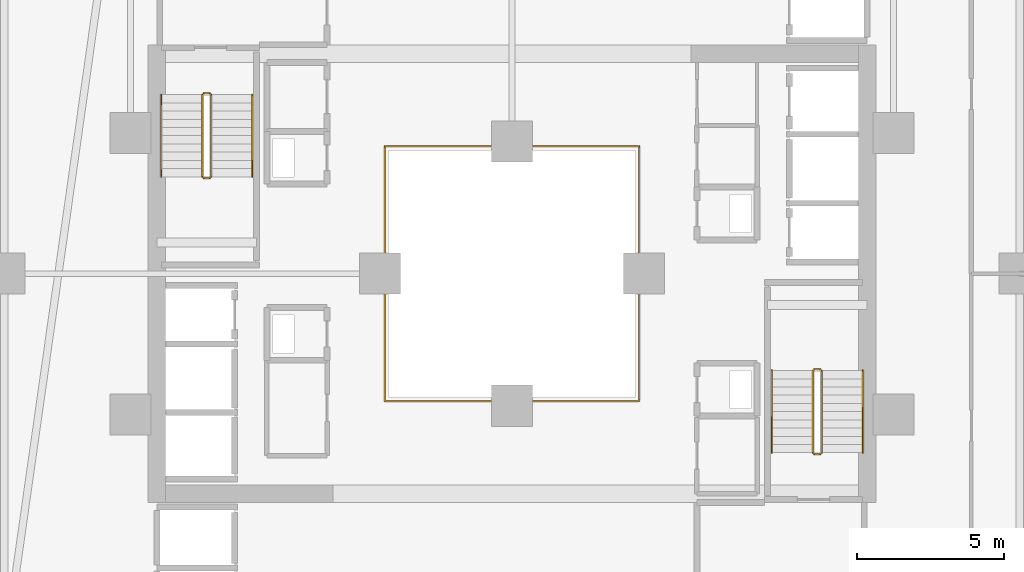
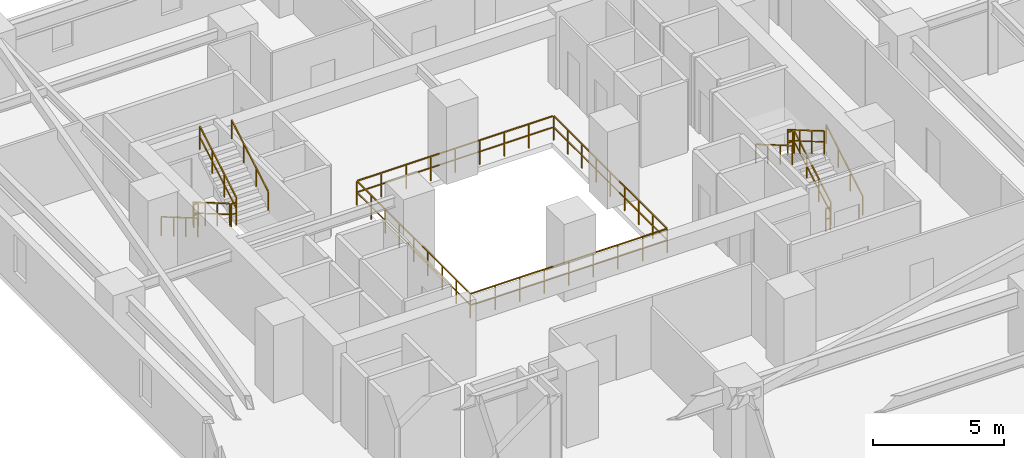
# One storey, part 32 of 33: 13 railings.
"""IFC4 building model written with IfcOpenShell, lengths in metres."""

from ifc_helpers import new_model, si_unit, direction, frame, origin, origin_2d, place, context, subcontext, project, spatial, rectangle, extrude, material, type_object, element, save


model = new_model("IFC4")

# Units and contexts
model_context = context("Model", 3, precision=1e-05, world=origin(), true_north=direction((0.0, 1.0)))
body_context = subcontext(model_context, "Body", "Model", "MODEL_VIEW")
ifc_project = project(units=[si_unit("LENGTHUNIT", "METRE"), si_unit("AREAUNIT", "SQUARE_METRE"), si_unit("VOLUMEUNIT", "CUBIC_METRE"), si_unit("PLANEANGLEUNIT", "RADIAN"), si_unit("MASSUNIT", "GRAM", prefix="KILO")], contexts=[model_context])

# Site, building, storey
site_placement = place(None, origin())
site = spatial("IfcSite", under=ifc_project, at=site_placement, CompositionType="ELEMENT")
building_placement = place(site_placement, origin())
building = spatial("IfcBuilding", under=site, at=building_placement, Name="Thornwick Lancets Civic Towers", CompositionType="ELEMENT")
storey_placement = place(building_placement, frame((0.0, 0.0, 35.10009765625)))
storey = spatial("IfcBuildingStorey", under=building, at=storey_placement, Name="L08", CompositionType="ELEMENT", Elevation=35.10009765625)

# Railings
ifc_material_1 = material(Name="Laminated glass and bronze steel S355", Category="steel")
railing_type_1 = type_object("IfcRailingType", Name="RAIL_ATRIUM_GUARD", PredefinedType="BALUSTRADE", material=ifc_material_1)
railing_1_placement = place(storey_placement, frame((84.159912109375, 22.659912109375, 0.0)))
element("IfcRailing", 1, at=railing_1_placement, inside=storey, type_object=railing_type_1, Name="L08 Tower B Central Atrium Guard Balustrade", PredefinedType="BALUSTRADE", context=body_context, shape_type="SweptSolid", body=[
    extrude(rectangle(XDim=0.048095703125, YDim=0.048095703125, at=origin_2d()), frame((0.0, 0.0, 1.1259765625), z_axis=(1.0, 0.0, 0.0), x_axis=(0.0, 1.0, 0.0)), (0.0, 0.0, 1.0), 8.64892578125),
    extrude(rectangle(XDim=0.0419921875, YDim=0.0419921875, at=origin_2d()), frame((0.03759765625, 0.0, 0.597900390625), z_axis=(1.0, 0.0, 0.0), x_axis=(0.0, 1.0, 0.0)), (0.0, 0.0, 1.0), 1.010009765625),
    extrude(rectangle(XDim=0.0419921875, YDim=0.0419921875, at=origin_2d()), frame((1.12255859375, 0.0, 0.597900390625), z_axis=(1.0, 0.0, 0.0), x_axis=(0.0, 1.0, 0.0)), (0.0, 0.0, 1.0), 1.010009765625),
    extrude(rectangle(XDim=0.0419921875, YDim=0.0419921875, at=origin_2d()), frame((2.20751953125, 0.0, 0.597900390625), z_axis=(1.0, 0.0, 0.0), x_axis=(0.0, 1.0, 0.0)), (0.0, 0.0, 1.0), 1.010009765625),
    extrude(rectangle(XDim=0.0419921875, YDim=0.0419921875, at=origin_2d()), frame((3.29248046875, 0.0, 0.597900390625), z_axis=(1.0, 0.0, 0.0), x_axis=(0.0, 1.0, 0.0)), (0.0, 0.0, 1.0), 1.010009765625),
    extrude(rectangle(XDim=0.0419921875, YDim=0.0419921875, at=origin_2d()), frame((4.377685546875, 0.0, 0.597900390625), z_axis=(1.0, 0.0, 0.0), x_axis=(0.0, 1.0, 0.0)), (0.0, 0.0, 1.0), 1.010009765625),
    extrude(rectangle(XDim=0.0419921875, YDim=0.0419921875, at=origin_2d()), frame((5.462646484375, 0.0, 0.597900390625), z_axis=(1.0, 0.0, 0.0), x_axis=(0.0, 1.0, 0.0)), (0.0, 0.0, 1.0), 1.010009765625),
    extrude(rectangle(XDim=0.0419921875, YDim=0.0419921875, at=origin_2d()), frame((6.547607421875, 0.0, 0.597900390625), z_axis=(1.0, 0.0, 0.0), x_axis=(0.0, 1.0, 0.0)), (0.0, 0.0, 1.0), 1.010009765625),
    extrude(rectangle(XDim=0.0419921875, YDim=0.0419921875, at=origin_2d()), frame((7.632568359375, 0.0, 0.597900390625), z_axis=(1.0, 0.0, 0.0), x_axis=(0.0, 1.0, 0.0)), (0.0, 0.0, 1.0), 1.010009765625),
    extrude(rectangle(XDim=0.048095703125, YDim=0.048095703125, at=origin_2d()), frame((8.68017578125, 0.03125, 1.1259765625), z_axis=(0.0, 1.0, 0.0), x_axis=(-1.0, 0.0, 0.0)), (0.0, 0.0, 1.0), 8.61767578125),
    extrude(rectangle(XDim=0.0419921875, YDim=0.0419921875, at=origin_2d()), frame((8.68017578125, 0.03759765625, 0.597900390625), z_axis=(0.0, 1.0, 0.0), x_axis=(-1.0, 0.0, 0.0)), (0.0, 0.0, 1.0), 1.010009765625),
    extrude(rectangle(XDim=0.0419921875, YDim=0.0419921875, at=origin_2d()), frame((8.68017578125, 1.12255859375, 0.597900390625), z_axis=(0.0, 1.0, 0.0), x_axis=(-1.0, 0.0, 0.0)), (0.0, 0.0, 1.0), 1.010009765625),
    extrude(rectangle(XDim=0.0419921875, YDim=0.0419921875, at=origin_2d()), frame((8.68017578125, 2.20751953125, 0.597900390625), z_axis=(0.0, 1.0, 0.0), x_axis=(-1.0, 0.0, 0.0)), (0.0, 0.0, 1.0), 1.010009765625),
    extrude(rectangle(XDim=0.0419921875, YDim=0.0419921875, at=origin_2d()), frame((8.68017578125, 3.29248046875, 0.597900390625), z_axis=(0.0, 1.0, 0.0), x_axis=(-1.0, 0.0, 0.0)), (0.0, 0.0, 1.0), 1.010009765625),
    extrude(rectangle(XDim=0.0419921875, YDim=0.0419921875, at=origin_2d()), frame((8.68017578125, 4.377685546875, 0.597900390625), z_axis=(0.0, 1.0, 0.0), x_axis=(-1.0, 0.0, 0.0)), (0.0, 0.0, 1.0), 1.010009765625),
    extrude(rectangle(XDim=0.0419921875, YDim=0.0419921875, at=origin_2d()), frame((8.68017578125, 5.462646484375, 0.597900390625), z_axis=(0.0, 1.0, 0.0), x_axis=(-1.0, 0.0, 0.0)), (0.0, 0.0, 1.0), 1.010009765625),
    extrude(rectangle(XDim=0.0419921875, YDim=0.0419921875, at=origin_2d()), frame((8.68017578125, 6.547607421875, 0.597900390625), z_axis=(0.0, 1.0, 0.0), x_axis=(-1.0, 0.0, 0.0)), (0.0, 0.0, 1.0), 1.010009765625),
    extrude(rectangle(XDim=0.0419921875, YDim=0.0419921875, at=origin_2d()), frame((8.68017578125, 7.632568359375, 0.597900390625), z_axis=(0.0, 1.0, 0.0), x_axis=(-1.0, 0.0, 0.0)), (0.0, 0.0, 1.0), 1.010009765625),
    extrude(rectangle(XDim=0.048095703125, YDim=0.048095703125, at=origin_2d()), frame((8.64892578125, 8.68017578125, 1.1259765625), z_axis=(-1.0, 0.0, 0.0), x_axis=(0.0, -1.0, 0.0)), (0.0, 0.0, 1.0), 8.61767578125),
    extrude(rectangle(XDim=0.0419921875, YDim=0.0419921875, at=origin_2d()), frame((8.642578125, 8.68017578125, 0.597900390625), z_axis=(-1.0, 0.0, 0.0), x_axis=(0.0, -1.0, 0.0)), (0.0, 0.0, 1.0), 1.010009765625),
    extrude(rectangle(XDim=0.0419921875, YDim=0.0419921875, at=origin_2d()), frame((7.5576171875, 8.68017578125, 0.597900390625), z_axis=(-1.0, 0.0, 0.0), x_axis=(0.0, -1.0, 0.0)), (0.0, 0.0, 1.0), 1.010009765625),
    extrude(rectangle(XDim=0.0419921875, YDim=0.0419921875, at=origin_2d()), frame((6.47265625, 8.68017578125, 0.597900390625), z_axis=(-1.0, 0.0, 0.0), x_axis=(0.0, -1.0, 0.0)), (0.0, 0.0, 1.0), 1.010009765625),
    extrude(rectangle(XDim=0.0419921875, YDim=0.0419921875, at=origin_2d()), frame((5.3876953125, 8.68017578125, 0.597900390625), z_axis=(-1.0, 0.0, 0.0), x_axis=(0.0, -1.0, 0.0)), (0.0, 0.0, 1.0), 1.010009765625),
    extrude(rectangle(XDim=0.0419921875, YDim=0.0419921875, at=origin_2d()), frame((4.302490234375, 8.68017578125, 0.597900390625), z_axis=(-1.0, 0.0, 0.0), x_axis=(0.0, -1.0, 0.0)), (0.0, 0.0, 1.0), 1.010009765625),
    extrude(rectangle(XDim=0.0419921875, YDim=0.0419921875, at=origin_2d()), frame((3.217529296875, 8.68017578125, 0.597900390625), z_axis=(-1.0, 0.0, 0.0), x_axis=(0.0, -1.0, 0.0)), (0.0, 0.0, 1.0), 1.010009765625),
    extrude(rectangle(XDim=0.0419921875, YDim=0.0419921875, at=origin_2d()), frame((2.132568359375, 8.68017578125, 0.597900390625), z_axis=(-1.0, 0.0, 0.0), x_axis=(0.0, -1.0, 0.0)), (0.0, 0.0, 1.0), 1.010009765625),
    extrude(rectangle(XDim=0.0419921875, YDim=0.0419921875, at=origin_2d()), frame((1.047607421875, 8.68017578125, 0.597900390625), z_axis=(-1.0, 0.0, 0.0), x_axis=(0.0, -1.0, 0.0)), (0.0, 0.0, 1.0), 1.010009765625),
    extrude(rectangle(XDim=0.048095703125, YDim=0.048095703125, at=origin_2d()), frame((0.0, 8.64892578125, 1.1259765625), z_axis=(0.0, -1.0, 0.0), x_axis=(1.0, 0.0, 0.0)), (0.0, 0.0, 1.0), 8.64892578125),
    extrude(rectangle(XDim=0.0419921875, YDim=0.0419921875, at=origin_2d()), frame((0.0, 8.642578125, 0.597900390625), z_axis=(0.0, -1.0, 0.0), x_axis=(1.0, 0.0, 0.0)), (0.0, 0.0, 1.0), 1.010009765625),
    extrude(rectangle(XDim=0.0419921875, YDim=0.0419921875, at=origin_2d()), frame((0.0, 7.5576171875, 0.597900390625), z_axis=(0.0, -1.0, 0.0), x_axis=(1.0, 0.0, 0.0)), (0.0, 0.0, 1.0), 1.010009765625),
    extrude(rectangle(XDim=0.0419921875, YDim=0.0419921875, at=origin_2d()), frame((0.0, 6.47265625, 0.597900390625), z_axis=(0.0, -1.0, 0.0), x_axis=(1.0, 0.0, 0.0)), (0.0, 0.0, 1.0), 1.010009765625),
    extrude(rectangle(XDim=0.0419921875, YDim=0.0419921875, at=origin_2d()), frame((0.0, 5.3876953125, 0.597900390625), z_axis=(0.0, -1.0, 0.0), x_axis=(1.0, 0.0, 0.0)), (0.0, 0.0, 1.0), 1.010009765625),
    extrude(rectangle(XDim=0.0419921875, YDim=0.0419921875, at=origin_2d()), frame((0.0, 4.302490234375, 0.597900390625), z_axis=(0.0, -1.0, 0.0), x_axis=(1.0, 0.0, 0.0)), (0.0, 0.0, 1.0), 1.010009765625),
    extrude(rectangle(XDim=0.0419921875, YDim=0.0419921875, at=origin_2d()), frame((0.0, 3.217529296875, 0.597900390625), z_axis=(0.0, -1.0, 0.0), x_axis=(1.0, 0.0, 0.0)), (0.0, 0.0, 1.0), 1.010009765625),
    extrude(rectangle(XDim=0.0419921875, YDim=0.0419921875, at=origin_2d()), frame((0.0, 2.132568359375, 0.597900390625), z_axis=(0.0, -1.0, 0.0), x_axis=(1.0, 0.0, 0.0)), (0.0, 0.0, 1.0), 1.010009765625),
    extrude(rectangle(XDim=0.0419921875, YDim=0.0419921875, at=origin_2d()), frame((0.0, 1.047607421875, 0.597900390625), z_axis=(0.0, -1.0, 0.0), x_axis=(1.0, 0.0, 0.0)), (0.0, 0.0, 1.0), 1.010009765625),
    extrude(rectangle(XDim=0.0419921875, YDim=0.0419921875, at=origin_2d()), origin(), (0.0, 0.0, 1.0), 1.095703125),
    extrude(rectangle(XDim=0.0419921875, YDim=0.0419921875, at=origin_2d()), frame((1.0849609375, 0.0, 0.0)), (0.0, 0.0, 1.0), 1.095703125),
    extrude(rectangle(XDim=0.0419921875, YDim=0.0419921875, at=origin_2d()), frame((2.169921875, 0.0, 0.0)), (0.0, 0.0, 1.0), 1.095703125),
    extrude(rectangle(XDim=0.0419921875, YDim=0.0419921875, at=origin_2d()), frame((3.255126953125, 0.0, 0.0)), (0.0, 0.0, 1.0), 1.095703125),
    extrude(rectangle(XDim=0.0419921875, YDim=0.0419921875, at=origin_2d()), frame((4.340087890625, 0.0, 0.0)), (0.0, 0.0, 1.0), 1.095703125),
    extrude(rectangle(XDim=0.0419921875, YDim=0.0419921875, at=origin_2d()), frame((5.425048828125, 0.0, 0.0)), (0.0, 0.0, 1.0), 1.095703125),
    extrude(rectangle(XDim=0.0419921875, YDim=0.0419921875, at=origin_2d()), frame((6.51025390625, 0.0, 0.0)), (0.0, 0.0, 1.0), 1.095703125),
    extrude(rectangle(XDim=0.0419921875, YDim=0.0419921875, at=origin_2d()), frame((7.59521484375, 0.0, 0.0)), (0.0, 0.0, 1.0), 1.095703125),
    extrude(rectangle(XDim=0.0419921875, YDim=0.0419921875, at=origin_2d()), frame((8.68017578125, 0.0, 0.0)), (0.0, 0.0, 1.0), 1.095703125),
    extrude(rectangle(XDim=0.0419921875, YDim=0.0419921875, at=origin_2d()), frame((8.68017578125, 1.0849609375, 0.0)), (0.0, 0.0, 1.0), 1.095703125),
    extrude(rectangle(XDim=0.0419921875, YDim=0.0419921875, at=origin_2d()), frame((8.68017578125, 2.169921875, 0.0)), (0.0, 0.0, 1.0), 1.095703125),
    extrude(rectangle(XDim=0.0419921875, YDim=0.0419921875, at=origin_2d()), frame((8.68017578125, 3.255126953125, 0.0)), (0.0, 0.0, 1.0), 1.095703125),
    extrude(rectangle(XDim=0.0419921875, YDim=0.0419921875, at=origin_2d()), frame((8.68017578125, 4.340087890625, 0.0)), (0.0, 0.0, 1.0), 1.095703125),
    extrude(rectangle(XDim=0.0419921875, YDim=0.0419921875, at=origin_2d()), frame((8.68017578125, 5.425048828125, 0.0)), (0.0, 0.0, 1.0), 1.095703125),
    extrude(rectangle(XDim=0.0419921875, YDim=0.0419921875, at=origin_2d()), frame((8.68017578125, 6.51025390625, 0.0)), (0.0, 0.0, 1.0), 1.095703125),
    extrude(rectangle(XDim=0.0419921875, YDim=0.0419921875, at=origin_2d()), frame((8.68017578125, 7.59521484375, 0.0)), (0.0, 0.0, 1.0), 1.095703125),
    extrude(rectangle(XDim=0.0419921875, YDim=0.0419921875, at=origin_2d()), frame((8.68017578125, 8.68017578125, 0.0)), (0.0, 0.0, 1.0), 1.095703125),
    extrude(rectangle(XDim=0.0419921875, YDim=0.0419921875, at=origin_2d()), frame((7.59521484375, 8.68017578125, 0.0)), (0.0, 0.0, 1.0), 1.095703125),
    extrude(rectangle(XDim=0.0419921875, YDim=0.0419921875, at=origin_2d()), frame((6.51025390625, 8.68017578125, 0.0)), (0.0, 0.0, 1.0), 1.095703125),
    extrude(rectangle(XDim=0.0419921875, YDim=0.0419921875, at=origin_2d()), frame((5.425048828125, 8.68017578125, 0.0)), (0.0, 0.0, 1.0), 1.095703125),
    extrude(rectangle(XDim=0.0419921875, YDim=0.0419921875, at=origin_2d()), frame((4.340087890625, 8.68017578125, 0.0)), (0.0, 0.0, 1.0), 1.095703125),
    extrude(rectangle(XDim=0.0419921875, YDim=0.0419921875, at=origin_2d()), frame((3.255126953125, 8.68017578125, 0.0)), (0.0, 0.0, 1.0), 1.095703125),
    extrude(rectangle(XDim=0.0419921875, YDim=0.0419921875, at=origin_2d()), frame((2.169921875, 8.68017578125, 0.0)), (0.0, 0.0, 1.0), 1.095703125),
    extrude(rectangle(XDim=0.0419921875, YDim=0.0419921875, at=origin_2d()), frame((1.0849609375, 8.68017578125, 0.0)), (0.0, 0.0, 1.0), 1.095703125),
    extrude(rectangle(XDim=0.0419921875, YDim=0.0419921875, at=origin_2d()), frame((0.0, 8.68017578125, 0.0)), (0.0, 0.0, 1.0), 1.095703125),
    extrude(rectangle(XDim=0.0419921875, YDim=0.0419921875, at=origin_2d()), frame((0.0, 7.59521484375, 0.0)), (0.0, 0.0, 1.0), 1.095703125),
    extrude(rectangle(XDim=0.0419921875, YDim=0.0419921875, at=origin_2d()), frame((0.0, 6.51025390625, 0.0)), (0.0, 0.0, 1.0), 1.095703125),
    extrude(rectangle(XDim=0.0419921875, YDim=0.0419921875, at=origin_2d()), frame((0.0, 5.425048828125, 0.0)), (0.0, 0.0, 1.0), 1.095703125),
    extrude(rectangle(XDim=0.0419921875, YDim=0.0419921875, at=origin_2d()), frame((0.0, 4.340087890625, 0.0)), (0.0, 0.0, 1.0), 1.095703125),
    extrude(rectangle(XDim=0.0419921875, YDim=0.0419921875, at=origin_2d()), frame((0.0, 3.255126953125, 0.0)), (0.0, 0.0, 1.0), 1.095703125),
    extrude(rectangle(XDim=0.0419921875, YDim=0.0419921875, at=origin_2d()), frame((0.0, 2.169921875, 0.0)), (0.0, 0.0, 1.0), 1.095703125),
    extrude(rectangle(XDim=0.0419921875, YDim=0.0419921875, at=origin_2d()), frame((0.0, 1.0849609375, 0.0)), (0.0, 0.0, 1.0), 1.095703125),
])
ifc_material_2 = material(Name="Brushed stainless steel S355", Category="steel")
railing_type_2 = type_object("IfcRailingType", Name="RAIL_HANDRAIL", PredefinedType="HANDRAIL", material=ifc_material_2)
railing_2_placement = place(storey_placement, frame((100.449951171875, 20.89990234375, 0.16357421875)))
element("IfcRailing", 2, at=railing_2_placement, inside=storey, type_object=railing_type_2, Name="L08 ST-B1 stair handrail 1", PredefinedType="HANDRAIL", context=body_context, shape_type="SweptSolid", body=[
    extrude(rectangle(XDim=0.048095703125, YDim=0.048095703125, at=origin_2d()), frame((0.0, 0.0, 0.8857421875), z_axis=(0.0, 0.863393664356, 0.504530851732), x_axis=(-1.0, 0.0, 0.0)), (0.0, 0.0, 1.0), 3.2431640625),
    extrude(rectangle(XDim=0.0419921875, YDim=0.0419921875, at=origin_2d()), origin(), (0.0, 0.0, 1.0), 0.855712890625),
    extrude(rectangle(XDim=0.0419921875, YDim=0.0419921875, at=origin_2d()), frame((0.0, 0.933349609375, 0.54541015625)), (0.0, 0.0, 1.0), 0.855712890625),
    extrude(rectangle(XDim=0.0419921875, YDim=0.0419921875, at=origin_2d()), frame((0.0, 1.86669921875, 1.0908203125)), (0.0, 0.0, 1.0), 0.855712890625),
    extrude(rectangle(XDim=0.0419921875, YDim=0.0419921875, at=origin_2d()), frame((0.0, 2.800048828125, 1.63623046875)), (0.0, 0.0, 1.0), 0.855712890625),
])
for number, where, name in (
    (3, (97.35009765625, 23.699951171875, 1.963623046875), "L08 ST-B1 stair handrail 2"),
    (4, (76.550048828125, 33.10009765625, 0.16357421875), "L08 ST-B2 stair handrail 1"),
):
    element("IfcRailing", number, at=place(storey_placement, frame(where)), inside=storey, type_object=railing_type_2, Name=name, PredefinedType="HANDRAIL", context=body_context, shape_type="SweptSolid", body=[
        extrude(rectangle(XDim=0.048095703125, YDim=0.048095703125, at=origin_2d()), frame((0.0, 0.0, 0.8857421875), z_axis=(0.0, -0.863393664356, 0.504530851732), x_axis=(1.0, 0.0, 0.0)), (0.0, 0.0, 1.0), 3.2431640625),
        extrude(rectangle(XDim=0.0419921875, YDim=0.0419921875, at=origin_2d()), origin(), (0.0, 0.0, 1.0), 0.855712890625),
        extrude(rectangle(XDim=0.0419921875, YDim=0.0419921875, at=origin_2d()), frame((0.0, -0.933349609375, 0.54541015625)), (0.0, 0.0, 1.0), 0.855712890625),
        extrude(rectangle(XDim=0.0419921875, YDim=0.0419921875, at=origin_2d()), frame((0.0, -1.86669921875, 1.0908203125)), (0.0, 0.0, 1.0), 0.855712890625),
        extrude(rectangle(XDim=0.0419921875, YDim=0.0419921875, at=origin_2d()), frame((0.0, -2.800048828125, 1.63623046875)), (0.0, 0.0, 1.0), 0.855712890625),
    ])
railing_3_placement = place(storey_placement, frame((79.64990234375, 30.300048828125, 1.963623046875)))
element("IfcRailing", 5, at=railing_3_placement, inside=storey, type_object=railing_type_2, Name="L08 ST-B2 stair handrail 2", PredefinedType="HANDRAIL", context=body_context, shape_type="SweptSolid", body=[
    extrude(rectangle(XDim=0.048095703125, YDim=0.048095703125, at=origin_2d()), frame((0.0, 0.0, 0.8857421875), z_axis=(0.0, 0.863393664356, 0.504530851732), x_axis=(-1.0, 0.0, 0.0)), (0.0, 0.0, 1.0), 3.2431640625),
    extrude(rectangle(XDim=0.0419921875, YDim=0.0419921875, at=origin_2d()), origin(), (0.0, 0.0, 1.0), 0.855712890625),
    extrude(rectangle(XDim=0.0419921875, YDim=0.0419921875, at=origin_2d()), frame((0.0, 0.933349609375, 0.54541015625)), (0.0, 0.0, 1.0), 0.855712890625),
    extrude(rectangle(XDim=0.0419921875, YDim=0.0419921875, at=origin_2d()), frame((0.0, 1.86669921875, 1.0908203125)), (0.0, 0.0, 1.0), 0.855712890625),
    extrude(rectangle(XDim=0.0419921875, YDim=0.0419921875, at=origin_2d()), frame((0.0, 2.800048828125, 1.63623046875)), (0.0, 0.0, 1.0), 0.855712890625),
])
ifc_material_3 = material(Name="Steel S355JR", Category="steel")
railing_type_3 = type_object("IfcRailingType", Name="RAIL_STAIR_GUARD", PredefinedType="GUARDRAIL", material=ifc_material_3)
railing_4_placement = place(storey_placement, frame((99.050048828125, 20.89990234375, 0.16357421875)))
element("IfcRailing", 6, at=railing_4_placement, inside=storey, type_object=railing_type_3, Name="L08 ST-B1 stair guard 1", PredefinedType="GUARDRAIL", context=body_context, shape_type="SweptSolid", body=[
    extrude(rectangle(XDim=0.048095703125, YDim=0.048095703125, at=origin_2d()), frame((0.0, 0.0, 1.076171875), z_axis=(0.0, 0.863393664356, 0.504530851732), x_axis=(-1.0, 0.0, 0.0)), (0.0, 0.0, 1.0), 3.2431640625),
    extrude(rectangle(XDim=0.0419921875, YDim=0.0419921875, at=origin_2d()), frame((0.0, 0.032470703125, 0.591064453125), z_axis=(0.0, 0.863393664356, 0.504530851732), x_axis=(-1.0, 0.0, 0.0)), (0.0, 0.0, 1.0), 1.006103515625),
    extrude(rectangle(XDim=0.0419921875, YDim=0.0419921875, at=origin_2d()), frame((0.0, 0.9658203125, 1.136474609375), z_axis=(0.0, 0.863393664356, 0.504530851732), x_axis=(-1.0, 0.0, 0.0)), (0.0, 0.0, 1.0), 1.006103515625),
    extrude(rectangle(XDim=0.0419921875, YDim=0.0419921875, at=origin_2d()), frame((0.0, 1.899169921875, 1.681884765625), z_axis=(0.0, 0.863393664356, 0.504530851732), x_axis=(-1.0, 0.0, 0.0)), (0.0, 0.0, 1.0), 1.006103515625),
    extrude(rectangle(XDim=0.0419921875, YDim=0.0419921875, at=origin_2d()), origin(), (0.0, 0.0, 1.0), 1.0458984375),
    extrude(rectangle(XDim=0.0419921875, YDim=0.0419921875, at=origin_2d()), frame((0.0, 0.933349609375, 0.54541015625)), (0.0, 0.0, 1.0), 1.0458984375),
    extrude(rectangle(XDim=0.0419921875, YDim=0.0419921875, at=origin_2d()), frame((0.0, 1.86669921875, 1.0908203125)), (0.0, 0.0, 1.0), 1.0458984375),
    extrude(rectangle(XDim=0.0419921875, YDim=0.0419921875, at=origin_2d()), frame((0.0, 2.800048828125, 1.63623046875)), (0.0, 0.0, 1.0), 1.0458984375),
])
railing_5_placement = place(storey_placement, frame((99.0, 23.75, 1.7998046875)))
element("IfcRailing", 7, at=railing_5_placement, inside=storey, type_object=railing_type_3, Name="L08 ST-B1 stair guard 2", PredefinedType="GUARDRAIL", context=body_context, shape_type="SweptSolid", body=[
    extrude(rectangle(XDim=0.048095703125, YDim=0.048095703125, at=origin_2d()), frame((0.0, 0.0, 1.076171875), z_axis=(-1.0, 0.0, 0.0), x_axis=(0.0, -1.0, 0.0)), (0.0, 0.0, 1.0), 0.199951171875),
    extrude(rectangle(XDim=0.0419921875, YDim=0.0419921875, at=origin_2d()), frame((-0.03759765625, 0.0, 0.572021484375), z_axis=(-1.0, 0.0, 0.0), x_axis=(0.0, -1.0, 0.0)), (0.0, 0.0, 1.0), 0.125),
    extrude(rectangle(XDim=0.0419921875, YDim=0.0419921875, at=origin_2d()), origin(), (0.0, 0.0, 1.0), 1.0458984375),
    extrude(rectangle(XDim=0.0419921875, YDim=0.0419921875, at=origin_2d()), frame((-0.199951171875, 0.0, 0.0)), (0.0, 0.0, 1.0), 1.0458984375),
])
railing_6_placement = place(storey_placement, frame((98.75, 23.699951171875, 1.963623046875)))
element("IfcRailing", 8, at=railing_6_placement, inside=storey, type_object=railing_type_3, Name="L08 ST-B1 stair guard 3", PredefinedType="GUARDRAIL", context=body_context, shape_type="SweptSolid", body=[
    extrude(rectangle(XDim=0.048095703125, YDim=0.048095703125, at=origin_2d()), frame((0.0, 0.0, 1.076171875), z_axis=(0.0, -0.863393664356, 0.504530851732), x_axis=(1.0, 0.0, 0.0)), (0.0, 0.0, 1.0), 3.2431640625),
    extrude(rectangle(XDim=0.0419921875, YDim=0.0419921875, at=origin_2d()), frame((0.0, -0.032470703125, 0.591064453125), z_axis=(0.0, -0.863393664356, 0.504530851732), x_axis=(1.0, 0.0, 0.0)), (0.0, 0.0, 1.0), 1.006103515625),
    extrude(rectangle(XDim=0.0419921875, YDim=0.0419921875, at=origin_2d()), frame((0.0, -0.9658203125, 1.136474609375), z_axis=(0.0, -0.863393664356, 0.504530851732), x_axis=(1.0, 0.0, 0.0)), (0.0, 0.0, 1.0), 1.006103515625),
    extrude(rectangle(XDim=0.0419921875, YDim=0.0419921875, at=origin_2d()), frame((0.0, -1.899169921875, 1.681884765625), z_axis=(0.0, -0.863393664356, 0.504530851732), x_axis=(1.0, 0.0, 0.0)), (0.0, 0.0, 1.0), 1.006103515625),
    extrude(rectangle(XDim=0.0419921875, YDim=0.0419921875, at=origin_2d()), origin(), (0.0, 0.0, 1.0), 1.0458984375),
    extrude(rectangle(XDim=0.0419921875, YDim=0.0419921875, at=origin_2d()), frame((0.0, -0.933349609375, 0.54541015625)), (0.0, 0.0, 1.0), 1.0458984375),
    extrude(rectangle(XDim=0.0419921875, YDim=0.0419921875, at=origin_2d()), frame((0.0, -1.86669921875, 1.0908203125)), (0.0, 0.0, 1.0), 1.0458984375),
    extrude(rectangle(XDim=0.0419921875, YDim=0.0419921875, at=origin_2d()), frame((0.0, -2.800048828125, 1.63623046875)), (0.0, 0.0, 1.0), 1.0458984375),
])
railing_7_placement = place(storey_placement, frame((99.0, 20.85009765625, 0.0)))
element("IfcRailing", 9, at=railing_7_placement, inside=storey, type_object=railing_type_3, Name="L08 ST-B1 stair guard 4", PredefinedType="GUARDRAIL", context=body_context, shape_type="SweptSolid", body=[
    extrude(rectangle(XDim=0.048095703125, YDim=0.048095703125, at=origin_2d()), frame((0.0, 0.0, 1.076171875), z_axis=(-1.0, 0.0, 0.0), x_axis=(0.0, -1.0, 0.0)), (0.0, 0.0, 1.0), 0.199951171875),
    extrude(rectangle(XDim=0.0419921875, YDim=0.0419921875, at=origin_2d()), frame((-0.03759765625, 0.0, 0.572021484375), z_axis=(-1.0, 0.0, 0.0), x_axis=(0.0, -1.0, 0.0)), (0.0, 0.0, 1.0), 0.125),
    extrude(rectangle(XDim=0.0419921875, YDim=0.0419921875, at=origin_2d()), origin(), (0.0, 0.0, 1.0), 1.0458984375),
    extrude(rectangle(XDim=0.0419921875, YDim=0.0419921875, at=origin_2d()), frame((-0.199951171875, 0.0, 0.0)), (0.0, 0.0, 1.0), 1.0458984375),
])
railing_8_placement = place(storey_placement, frame((77.949951171875, 33.10009765625, 0.16357421875)))
element("IfcRailing", 10, at=railing_8_placement, inside=storey, type_object=railing_type_3, Name="L08 ST-B2 stair guard 1", PredefinedType="GUARDRAIL", context=body_context, shape_type="SweptSolid", body=[
    extrude(rectangle(XDim=0.048095703125, YDim=0.048095703125, at=origin_2d()), frame((0.0, 0.0, 1.076171875), z_axis=(0.0, -0.863393664356, 0.504530851732), x_axis=(1.0, 0.0, 0.0)), (0.0, 0.0, 1.0), 3.2431640625),
    extrude(rectangle(XDim=0.0419921875, YDim=0.0419921875, at=origin_2d()), frame((0.0, -0.032470703125, 0.591064453125), z_axis=(0.0, -0.863393664356, 0.504530851732), x_axis=(1.0, 0.0, 0.0)), (0.0, 0.0, 1.0), 1.006103515625),
    extrude(rectangle(XDim=0.0419921875, YDim=0.0419921875, at=origin_2d()), frame((0.0, -0.9658203125, 1.136474609375), z_axis=(0.0, -0.863393664356, 0.504530851732), x_axis=(1.0, 0.0, 0.0)), (0.0, 0.0, 1.0), 1.006103515625),
    extrude(rectangle(XDim=0.0419921875, YDim=0.0419921875, at=origin_2d()), frame((0.0, -1.899169921875, 1.681884765625), z_axis=(0.0, -0.863393664356, 0.504530851732), x_axis=(1.0, 0.0, 0.0)), (0.0, 0.0, 1.0), 1.006103515625),
    extrude(rectangle(XDim=0.0419921875, YDim=0.0419921875, at=origin_2d()), origin(), (0.0, 0.0, 1.0), 1.0458984375),
    extrude(rectangle(XDim=0.0419921875, YDim=0.0419921875, at=origin_2d()), frame((0.0, -0.933349609375, 0.54541015625)), (0.0, 0.0, 1.0), 1.0458984375),
    extrude(rectangle(XDim=0.0419921875, YDim=0.0419921875, at=origin_2d()), frame((0.0, -1.86669921875, 1.0908203125)), (0.0, 0.0, 1.0), 1.0458984375),
    extrude(rectangle(XDim=0.0419921875, YDim=0.0419921875, at=origin_2d()), frame((0.0, -2.800048828125, 1.63623046875)), (0.0, 0.0, 1.0), 1.0458984375),
])
railing_9_placement = place(storey_placement, frame((78.0, 30.25, 1.7998046875)))
element("IfcRailing", 11, at=railing_9_placement, inside=storey, type_object=railing_type_3, Name="L08 ST-B2 stair guard 2", PredefinedType="GUARDRAIL", context=body_context, shape_type="SweptSolid", body=[
    extrude(rectangle(XDim=0.048095703125, YDim=0.048095703125, at=origin_2d()), frame((0.0, 0.0, 1.076171875), z_axis=(1.0, 0.0, 0.0), x_axis=(0.0, 1.0, 0.0)), (0.0, 0.0, 1.0), 0.199951171875),
    extrude(rectangle(XDim=0.0419921875, YDim=0.0419921875, at=origin_2d()), frame((0.03759765625, 0.0, 0.572021484375), z_axis=(1.0, 0.0, 0.0), x_axis=(0.0, 1.0, 0.0)), (0.0, 0.0, 1.0), 0.125),
    extrude(rectangle(XDim=0.0419921875, YDim=0.0419921875, at=origin_2d()), origin(), (0.0, 0.0, 1.0), 1.0458984375),
    extrude(rectangle(XDim=0.0419921875, YDim=0.0419921875, at=origin_2d()), frame((0.199951171875, 0.0, 0.0)), (0.0, 0.0, 1.0), 1.0458984375),
])
railing_10_placement = place(storey_placement, frame((78.25, 30.300048828125, 1.963623046875)))
element("IfcRailing", 12, at=railing_10_placement, inside=storey, type_object=railing_type_3, Name="L08 ST-B2 stair guard 3", PredefinedType="GUARDRAIL", context=body_context, shape_type="SweptSolid", body=[
    extrude(rectangle(XDim=0.048095703125, YDim=0.048095703125, at=origin_2d()), frame((0.0, 0.0, 1.076171875), z_axis=(0.0, 0.863393664356, 0.504530851732), x_axis=(-1.0, 0.0, 0.0)), (0.0, 0.0, 1.0), 3.2431640625),
    extrude(rectangle(XDim=0.0419921875, YDim=0.0419921875, at=origin_2d()), frame((0.0, 0.032470703125, 0.591064453125), z_axis=(0.0, 0.863393664356, 0.504530851732), x_axis=(-1.0, 0.0, 0.0)), (0.0, 0.0, 1.0), 1.006103515625),
    extrude(rectangle(XDim=0.0419921875, YDim=0.0419921875, at=origin_2d()), frame((0.0, 0.9658203125, 1.136474609375), z_axis=(0.0, 0.863393664356, 0.504530851732), x_axis=(-1.0, 0.0, 0.0)), (0.0, 0.0, 1.0), 1.006103515625),
    extrude(rectangle(XDim=0.0419921875, YDim=0.0419921875, at=origin_2d()), frame((0.0, 1.899169921875, 1.681884765625), z_axis=(0.0, 0.863393664356, 0.504530851732), x_axis=(-1.0, 0.0, 0.0)), (0.0, 0.0, 1.0), 1.006103515625),
    extrude(rectangle(XDim=0.0419921875, YDim=0.0419921875, at=origin_2d()), origin(), (0.0, 0.0, 1.0), 1.0458984375),
    extrude(rectangle(XDim=0.0419921875, YDim=0.0419921875, at=origin_2d()), frame((0.0, 0.933349609375, 0.54541015625)), (0.0, 0.0, 1.0), 1.0458984375),
    extrude(rectangle(XDim=0.0419921875, YDim=0.0419921875, at=origin_2d()), frame((0.0, 1.86669921875, 1.0908203125)), (0.0, 0.0, 1.0), 1.0458984375),
    extrude(rectangle(XDim=0.0419921875, YDim=0.0419921875, at=origin_2d()), frame((0.0, 2.800048828125, 1.63623046875)), (0.0, 0.0, 1.0), 1.0458984375),
])
railing_11_placement = place(storey_placement, frame((78.0, 33.14990234375, 0.0)))
element("IfcRailing", 13, at=railing_11_placement, inside=storey, type_object=railing_type_3, Name="L08 ST-B2 stair guard 4", PredefinedType="GUARDRAIL", context=body_context, shape_type="SweptSolid", body=[
    extrude(rectangle(XDim=0.048095703125, YDim=0.048095703125, at=origin_2d()), frame((0.0, 0.0, 1.076171875), z_axis=(1.0, 0.0, 0.0), x_axis=(0.0, 1.0, 0.0)), (0.0, 0.0, 1.0), 0.199951171875),
    extrude(rectangle(XDim=0.0419921875, YDim=0.0419921875, at=origin_2d()), frame((0.03759765625, 0.0, 0.572021484375), z_axis=(1.0, 0.0, 0.0), x_axis=(0.0, 1.0, 0.0)), (0.0, 0.0, 1.0), 0.125),
    extrude(rectangle(XDim=0.0419921875, YDim=0.0419921875, at=origin_2d()), origin(), (0.0, 0.0, 1.0), 1.0458984375),
    extrude(rectangle(XDim=0.0419921875, YDim=0.0419921875, at=origin_2d()), frame((0.199951171875, 0.0, 0.0)), (0.0, 0.0, 1.0), 1.0458984375),
])

save(model, "model.ifc")
